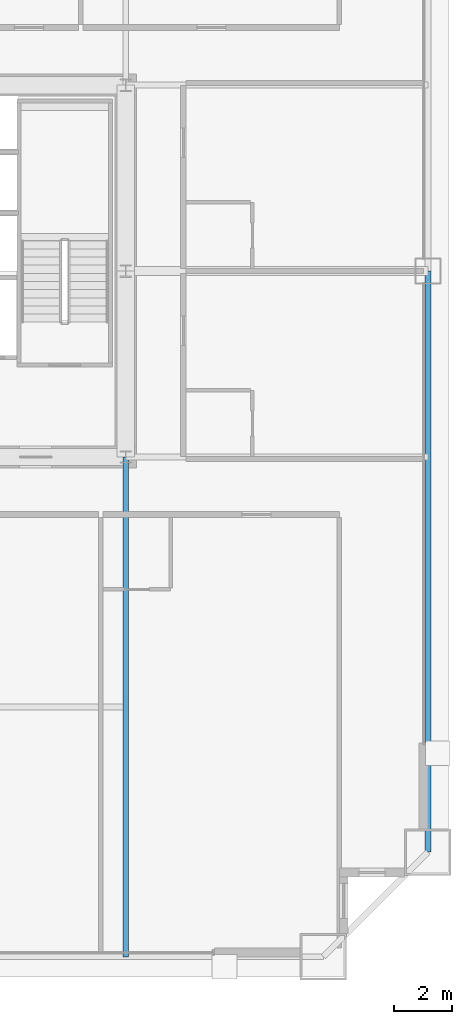
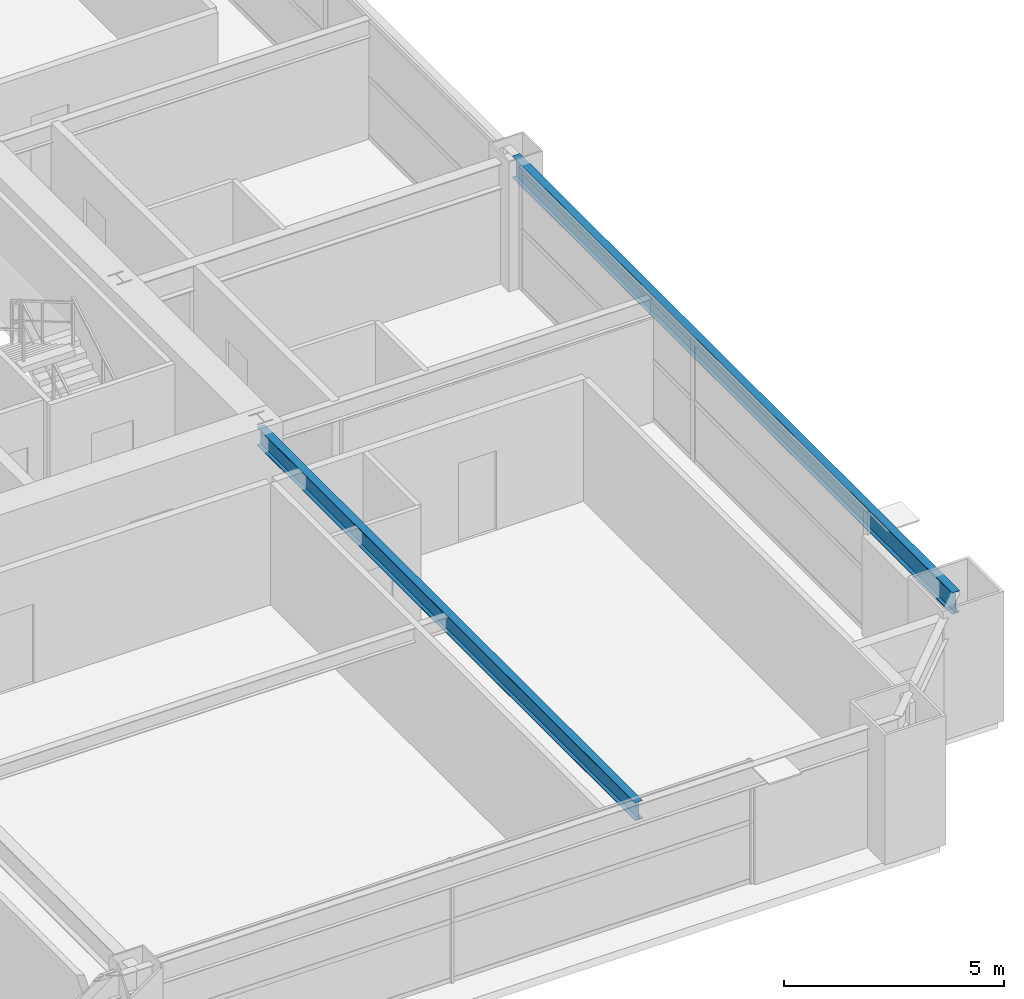
# One storey, part 16 of 38: 2 beams.
"""IFC4 building model written with IfcOpenShell, lengths in metres."""

from ifc_helpers import new_model, si_unit, direction, frame, origin, origin_2d, place, context, subcontext, project, spatial, i_section, extrude, source, transform, mapped, material, material_profile, profile_set, type_object, element, save


model = new_model("IFC4")

# Units and contexts
model_context = context("Model", 3, precision=1e-05, world=origin(), true_north=direction((0.0, 1.0)))
body_context = subcontext(model_context, "Body", "Model", "MODEL_VIEW")
ifc_project = project(units=[si_unit("LENGTHUNIT", "METRE"), si_unit("AREAUNIT", "SQUARE_METRE"), si_unit("VOLUMEUNIT", "CUBIC_METRE"), si_unit("PLANEANGLEUNIT", "RADIAN"), si_unit("MASSUNIT", "GRAM", prefix="KILO"), si_unit("THERMODYNAMICTEMPERATUREUNIT", "KELVIN"), si_unit("POWERUNIT", "WATT")], contexts=[model_context])

# Site, building, storey
site_placement = place(None, origin())
site = spatial("IfcSite", under=ifc_project, at=site_placement, CompositionType="ELEMENT")
building_placement = place(site_placement, origin())
building = spatial("IfcBuilding", under=site, at=building_placement, Name="Yuzanri Waterfront Tower", CompositionType="ELEMENT")
storey_placement = place(building_placement, frame((0.0, 0.0, 119.0)))
storey = spatial("IfcBuildingStorey", under=building, at=storey_placement, Name="L31", CompositionType="ELEMENT", Elevation=119.0)

# Beams
ifc_material_1 = material(Name="Steel Q355B", Category="steel")
ifc_material_profile_1 = material_profile(ifc_material_1, i_section(OverallWidth=0.199951171875, OverallDepth=0.60009765625, WebThickness=0.010986328125, FlangeThickness=0.01708984375, at=origin_2d()), Name="HN 600x200x11x17")
ifc_profile_set_1 = profile_set([ifc_material_profile_1], Name="Steel Q355B")
beam_type_1 = type_object("IfcBeamType", Name="Perimeter Spandrel Q355B HN 600x200", PredefinedType="SPANDREL", material=ifc_profile_set_1)
shared_shape_1 = source(origin(), body_context, "Body", "SweptSolid", [
    extrude(i_section(OverallWidth=0.199951171875, OverallDepth=0.60009765625, WebThickness=0.010986328125, FlangeThickness=0.01708984375, at=origin_2d()), origin(), (0.0, 0.0, 1.0), 20.0),
])
beam_1_placement = place(storey_placement, frame((60.60009765625, 5.800048828125, 3.080078125), z_axis=(0.0, 1.0, 0.0), x_axis=(-1.0, 0.0, 0.0)))
element("IfcBeam", 1, at=beam_1_placement, inside=storey, type_object=beam_type_1, Name="L31 Perimeter Spandrel E1-E2", PredefinedType="SPANDREL", context=body_context, shape_type="MappedRepresentation", body=[
    mapped(shared_shape_1, transform((0.0, 0.0, 0.0), scale=1.0)),
])
ifc_material_2 = material(Name="Steel Q355B", Category="steel")
ifc_material_profile_2 = material_profile(ifc_material_2, i_section(OverallWidth=0.199951171875, OverallDepth=0.5, WebThickness=0.010009765625, FlangeThickness=0.01611328125, at=origin_2d()), Name="HN 500x200x10x16")
ifc_profile_set_2 = profile_set([ifc_material_profile_2], Name="Steel Q355B")
beam_type_2 = type_object("IfcBeamType", Name="Secondary Floor Beam Q355B HN 500x200", PredefinedType="BEAM", material=ifc_profile_set_2)
shared_shape_2 = source(origin(), body_context, "Body", "SweptSolid", [
    extrude(i_section(OverallWidth=0.199951171875, OverallDepth=0.5, WebThickness=0.010009765625, FlangeThickness=0.01611328125, at=origin_2d()), origin(), (0.0, 0.0, 1.0), 17.199951171875),
])
beam_2_placement = place(storey_placement, frame((50.199951171875, 19.39990234375, 3.1298828125), z_axis=(0.0, -1.0, 0.0), x_axis=(1.0, 0.0, 0.0)))
element("IfcBeam", 2, at=beam_2_placement, inside=storey, type_object=beam_type_2, Name="L31 South-East Core Line Beam", PredefinedType="BEAM", context=body_context, shape_type="MappedRepresentation", body=[
    mapped(shared_shape_2, transform((0.0, 0.0, 0.0), scale=1.0)),
])

save(model, "model.ifc")
